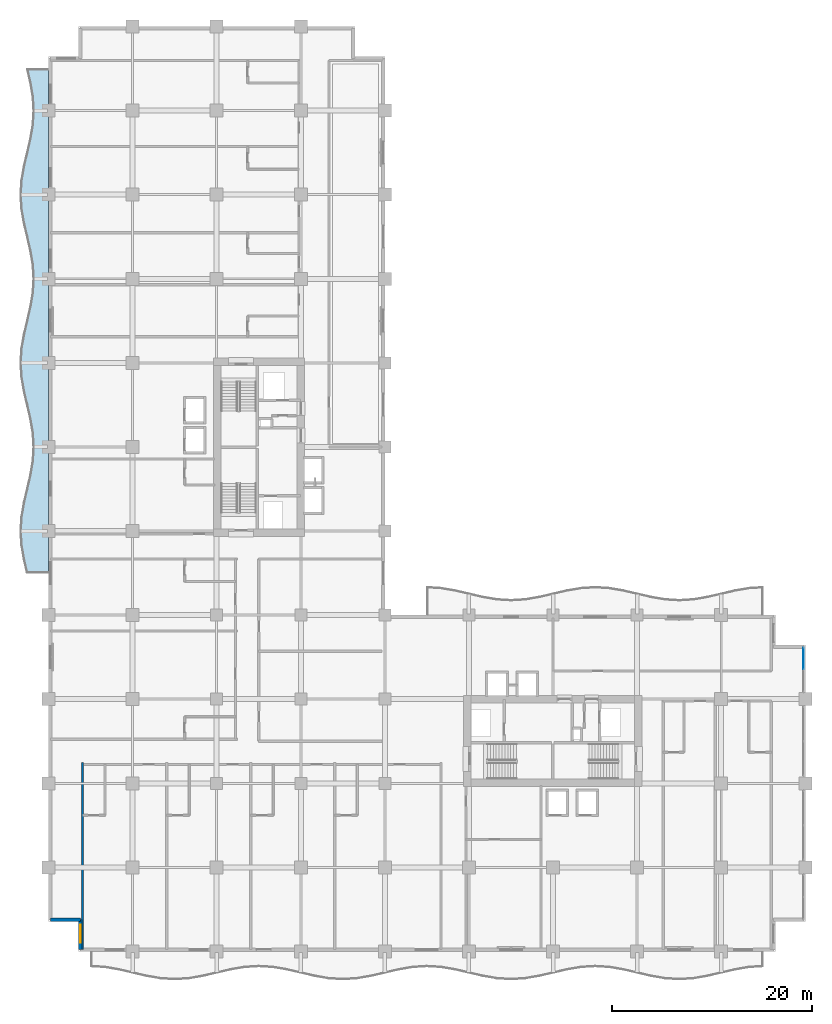
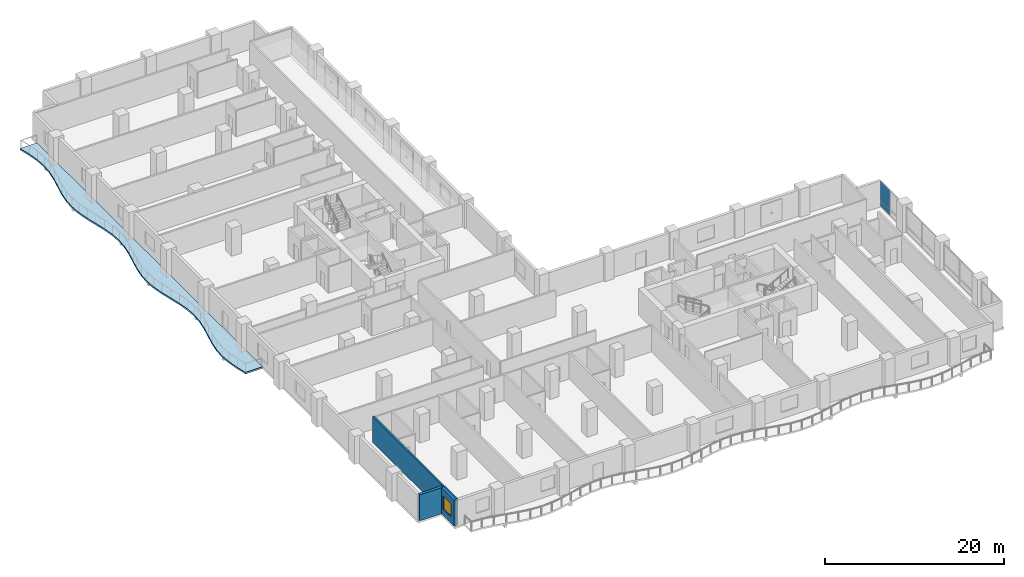
# One storey, part 8 of 24: 3 walls, 2 plates, 1 slab, 1 window, 1 opening, 1 element without a shape of its own.
"""IFC4 building model written with IfcOpenShell, lengths in metres."""

import ifcopenshell
import ifcopenshell.guid

model = None  # the IFC model being written
_history = None  # IfcOwnerHistory: only IFC2X3 demands one
_inside = {}  # id of a spatial element -> (the spatial element, [elements in it])
_under = {}  # id of a project, library or spatial element -> (it, [spatial elements below it])
_declared = {}  # id of a project -> (the project, [libraries it declares])
_typed = {}  # id of a type object -> (the type object, [elements of that type])
_made_of = {}  # id of a material, layer set ... -> (it, [elements and type objects made of it])


def new_model(schema):
    """Start an empty IFC model of exactly this schema.

    Asked for "IFC4X3", IfcOpenShell would pick the latest addendum, in which some entities
    have other attributes; the version numbers below select the first issue.
    IFC2X3 requires an IfcOwnerHistory on every rooted entity: one is made here for all.
    """
    global model, _history
    if schema == "IFC4X3":
        model = ifcopenshell.file(schema_version=(4, 3, 0, 0))
    else:
        model = ifcopenshell.file(schema=schema)
    _inside.clear()
    _under.clear()
    _declared.clear()
    _typed.clear()
    _made_of.clear()
    _history = None
    if model.schema == "IFC2X3":
        org = make("IfcOrganization", Name="unknown")
        user = make(
            "IfcPersonAndOrganization",
            ThePerson=make("IfcPerson", FamilyName="unknown"),
            TheOrganization=org,
        )
        app = make(
            "IfcApplication",
            ApplicationDeveloper=org,
            Version="unknown",
            ApplicationFullName="unknown",
            ApplicationIdentifier="unknown",
        )
        _history = make(
            "IfcOwnerHistory",
            OwningUser=user,
            OwningApplication=app,
            ChangeAction="ADDED",
            CreationDate=0,
        )
    return model


def make(cls, **values):
    """One entity of the class cls with the attributes given. An attribute that is None is left unset."""
    return model.create_entity(
        cls, **{name: value for name, value in values.items() if value is not None}
    )


def rooted(cls, **values):
    """An entity with a GlobalId (a new one), such as an element, a storey or a relation."""
    return make(cls, GlobalId=ifcopenshell.guid.new(), OwnerHistory=_history, **values)


def si_unit(unit_type, name, prefix=None):
    """IfcSIUnit, for example si_unit("LENGTHUNIT", "METRE", prefix="MILLI")."""
    return make("IfcSIUnit", UnitType=unit_type, Prefix=prefix, Name=name)


def assignment(units):
    """IfcUnitAssignment: the units of a project."""
    return None if units is None else make("IfcUnitAssignment", Units=units)


def point(xyz):
    """IfcCartesianPoint."""
    return None if xyz is None else make("IfcCartesianPoint", Coordinates=xyz)


def direction(xyz):
    """IfcDirection."""
    return None if xyz is None else make("IfcDirection", DirectionRatios=xyz)


def frame(location, z_axis=None, x_axis=None):
    """IfcAxis2Placement3D, a coordinate frame: its origin and axes. An axis left out is left unset."""
    return make(
        "IfcAxis2Placement3D",
        Location=point(location),
        Axis=direction(z_axis),
        RefDirection=direction(x_axis),
    )


def frame_2d(location, x_axis=None):
    """IfcAxis2Placement2D, a coordinate frame in the plane: its origin and x axis."""
    return make(
        "IfcAxis2Placement2D", Location=point(location), RefDirection=direction(x_axis)
    )


def origin():
    """The frame at (0, 0, 0) with its axes left unset."""
    return frame((0.0, 0.0, 0.0))


def origin_2d():
    """The frame at (0, 0) in the plane with its x axis left unset."""
    return frame_2d((0.0, 0.0))


def place(relative_to, where):
    """IfcLocalPlacement: puts the frame where relative to a parent placement (None: the world)."""
    return make(
        "IfcLocalPlacement", PlacementRelTo=relative_to, RelativePlacement=where
    )


def context(
    kind, dimensions, precision=None, world=None, true_north=None, identifier=None
):
    """IfcGeometricRepresentationContext, for example the 3D "Model" context."""
    return make(
        "IfcGeometricRepresentationContext",
        ContextIdentifier=identifier,
        ContextType=kind,
        CoordinateSpaceDimension=dimensions,
        Precision=precision,
        WorldCoordinateSystem=world,
        TrueNorth=true_north,
    )


def subcontext(parent, identifier, kind, view, scale=None):
    """IfcGeometricRepresentationSubContext, for example "Body" below "Model"."""
    return make(
        "IfcGeometricRepresentationSubContext",
        ContextIdentifier=identifier,
        ContextType=kind,
        ParentContext=parent,
        TargetScale=scale,
        TargetView=view,
    )


def project(units=None, contexts=None):
    """IfcProject with its units and contexts."""
    return rooted(
        "IfcProject",
        Name="project",
        RepresentationContexts=contexts,
        UnitsInContext=assignment(units),
    )


def spatial(cls, under=None, at=None, **own):
    """A site, building, storey or space (cls), placed at a placement, below another one or the project."""
    s = rooted(cls, ObjectPlacement=at, **own)
    if under is not None:
        _under.setdefault(under.id(), (under, []))[1].append(s)
    return s


def polyline(points):
    """IfcPolyline through the points."""
    return make("IfcPolyline", Points=[point(p) for p in points])


def profile(cls, at=None, kind="AREA", **sizes):
    """A parametric profile (cls). Its sizes go by their IFC names, for example OverallWidth=200.0."""
    return make(cls, ProfileType=kind, Position=at, **sizes)


def rectangle(**sizes):
    """IfcRectangleProfileDef."""
    return profile("IfcRectangleProfileDef", **sizes)


def outline(outer, holes=None, kind="AREA"):
    """IfcArbitraryClosedProfileDef: a profile drawn as a closed curve; with holes, ...WithVoids."""
    if holes is None:
        return make("IfcArbitraryClosedProfileDef", ProfileType=kind, OuterCurve=outer)
    return make(
        "IfcArbitraryProfileDefWithVoids",
        ProfileType=kind,
        OuterCurve=outer,
        InnerCurves=holes,
    )


def extrude(swept, where, along, depth):
    """IfcExtrudedAreaSolid: the profile swept, set in the frame where, extruded along a direction by depth."""
    return make(
        "IfcExtrudedAreaSolid",
        SweptArea=swept,
        Position=where,
        ExtrudedDirection=direction(along),
        Depth=depth,
    )


def shape(context_of_items, identifier, shape_type, items):
    """IfcShapeRepresentation: the items that make up one representation, for example the "Body"."""
    return make(
        "IfcShapeRepresentation",
        ContextOfItems=context_of_items,
        RepresentationIdentifier=identifier,
        RepresentationType=shape_type,
        Items=items,
    )


def material(Name=None, Category=None):
    """IfcMaterial."""
    return make("IfcMaterial", Name=Name, Category=Category)


def layer(
    of_material, thickness, ventilated=None, Name=None, Category=None, Priority=None
):
    """IfcMaterialLayer: one layer of a wall or slab, of a material (None: an air gap)."""
    return make(
        "IfcMaterialLayer",
        Material=of_material,
        LayerThickness=thickness,
        IsVentilated=ventilated,
        Name=Name,
        Category=Category,
        Priority=Priority,
    )


def layer_set(layers, Name=None):
    """IfcMaterialLayerSet."""
    return make("IfcMaterialLayerSet", MaterialLayers=layers, LayerSetName=Name)


def made_of(thing, what):
    """Note that an element or type object is made of a material, layer set ...; save() writes the relation."""
    if what is not None:
        _made_of.setdefault(what.id(), (what, []))[1].append(thing)
    return thing


def type_object(cls, material=None, **own):
    """A type object (cls), such as IfcWallType, which elements share."""
    return made_of(rooted(cls, **own), material)


def element(
    cls,
    number,
    at=None,
    inside=None,
    cuts=None,
    type_object=None,
    material=None,
    context=None,
    identifier="Body",
    shape_type=None,
    held_by="IfcProductDefinitionShape",
    body=None,
    shapes=None,
    **own,
):
    """One element of the class cls, such as IfcWall. Its Tag is "e" and its number.

    at: its placement. inside: the storey or other place that contains it. cuts: it is an
    opening in that element (IfcRelVoidsElement). A single representation is given by context,
    identifier, shape_type and body (its items); several are given by shapes. held_by: the class
    of the entity that holds the representations. save() writes the other relations.
    """
    e = rooted(cls, Tag="e%d" % number, ObjectPlacement=at, **own)
    if body is not None:
        shapes = [shape(context, identifier, shape_type, body)]
    if shapes is not None:
        e.Representation = make(held_by, Representations=shapes)
    if inside is not None:
        _inside.setdefault(inside.id(), (inside, []))[1].append(e)
    if cuts is not None:
        rooted(
            "IfcRelVoidsElement", RelatingBuildingElement=cuts, RelatedOpeningElement=e
        )
    if type_object is not None:
        _typed.setdefault(type_object.id(), (type_object, []))[1].append(e)
    return made_of(e, material)


def fill(opening, filler):
    """IfcRelFillsElement: the door or window that sits in an opening."""
    return rooted(
        "IfcRelFillsElement",
        RelatingOpeningElement=opening,
        RelatedBuildingElement=filler,
    )


def aggregate(whole, parts):
    """IfcRelAggregates: a whole, such as a stair, and the parts it consists of."""
    return rooted("IfcRelAggregates", RelatingObject=whole, RelatedObjects=parts)


def save(model, path):
    """Write the relations noted so far, then the file.

    IfcRelAggregates (storeys below a building ...), IfcRelContainedInSpatialStructure (elements
    in a storey), IfcRelDefinesByType, IfcRelAssociatesMaterial and IfcRelDeclares: one each for
    every whole, place, type object, material and project.
    """
    for whole, parts in _under.values():
        aggregate(whole, parts)
    for where, things in _inside.values():
        rooted(
            "IfcRelContainedInSpatialStructure",
            RelatedElements=things,
            RelatingStructure=where,
        )
    for kind, things in _typed.values():
        rooted("IfcRelDefinesByType", RelatedObjects=things, RelatingType=kind)
    for what, things in _made_of.values():
        rooted("IfcRelAssociatesMaterial", RelatedObjects=things, RelatingMaterial=what)
    for by, libraries in _declared.values():
        rooted("IfcRelDeclares", RelatingContext=by, RelatedDefinitions=libraries)
    model.write(path)


model = new_model("IFC4")

# Units and contexts
model_context = context("Model", 3, precision=1e-05, world=origin(), true_north=direction((0.0, 1.0)))
body_context = subcontext(model_context, "Body", "Model", "MODEL_VIEW")
ifc_project = project(units=[si_unit("LENGTHUNIT", "METRE"), si_unit("AREAUNIT", "SQUARE_METRE"), si_unit("VOLUMEUNIT", "CUBIC_METRE"), si_unit("PLANEANGLEUNIT", "RADIAN"), si_unit("MASSUNIT", "GRAM", prefix="KILO")], contexts=[model_context])

# Site, building, storey
site_placement = place(None, origin())
site = spatial("IfcSite", under=ifc_project, at=site_placement, CompositionType="ELEMENT")
building_placement = place(site_placement, origin())
building = spatial("IfcBuilding", under=site, at=building_placement, Name="Koriwani Terraces Tower", CompositionType="ELEMENT")
storey_placement = place(building_placement, frame((0.0, 0.0, 103.800048828125)))
storey = spatial("IfcBuildingStorey", under=building, at=storey_placement, Name="L24", CompositionType="ELEMENT", Elevation=103.800048828125)

# Curtain wall, plates
ifc_material_1 = material(Name="Anodised Bronze Aluminium", Category="aluminium")
ifc_layer_1 = layer(ifc_material_1, 0.179931640625, Name="Anodised Bronze Aluminium")
ifc_layer_set_1 = layer_set([ifc_layer_1], Name="Anodised Bronze Aluminium")
curtain_wall_type = type_object("IfcCurtainWallType", Name="CW_HOTEL_ZONE2", PredefinedType="NOTDEFINED", material=ifc_layer_set_1)
curtain_wall_placement = place(storey_placement, origin())
curtain_wall = element("IfcCurtainWall", 1, at=curtain_wall_placement, inside=storey, type_object=curtain_wall_type, Name="L24 Unitised Curtain Wall (E_TIP) Bay 1", PredefinedType="NOTDEFINED")
ifc_material_2 = material(Name="Tempered Laminated Low-E Glass", Category="glass")
ifc_layer_2 = layer(ifc_material_2, 0.028076171875, Name="Tempered Laminated Low-E Glass")
ifc_layer_set_2 = layer_set([ifc_layer_2], Name="Tempered Laminated Low-E Glass")
plate_type = type_object("IfcPlateType", Name="CW_PANEL_VISION_28", PredefinedType="CURTAIN_PANEL", material=ifc_layer_set_2)
plate_1_placement = place(storey_placement, frame((75.425048828125, 29.277587890625, 0.06494140625), z_axis=(0.0, 0.0, 1.0), x_axis=(0.0, -1.0, 0.0)))
plate_1 = element("IfcPlate", 2, at=plate_1_placement, type_object=plate_type, Name="CW-Z2 panel 1.1", PredefinedType="CURTAIN_PANEL", context=body_context, shape_type="SweptSolid", body=[
    extrude(rectangle(XDim=2.14501953125, YDim=0.028076171875, at=origin_2d()), origin(), (0.0, 0.0, 1.0), 0.802490234375),
])
plate_2_placement = place(storey_placement, frame((75.425048828125, 29.277587890625, 0.9326171875), z_axis=(0.0, 0.0, 1.0), x_axis=(0.0, -1.0, 0.0)))
plate_2 = element("IfcPlate", 3, at=plate_2_placement, type_object=plate_type, Name="CW-Z2 panel 1.2", PredefinedType="CURTAIN_PANEL", context=body_context, shape_type="SweptSolid", body=[
    extrude(rectangle(XDim=2.14501953125, YDim=0.028076171875, at=origin_2d()), origin(), (0.0, 0.0, 1.0), 2.552490234375),
])
aggregate(curtain_wall, [plate_1, plate_2])

# Slab
ifc_material_3 = material(Name="Concrete C40/50", Category="concrete")
ifc_layer_3 = layer(ifc_material_3, 0.219970703125, Name="Concrete C40/50")
ifc_layer_set_3 = layer_set([ifc_layer_3], Name="Concrete C40/50")
slab_type = type_object("IfcSlabType", Name="SLAB_BALCONY_220", PredefinedType="FLOOR", material=ifc_layer_set_3)
slab_placement = place(storey_placement, frame((0.0, 0.0, -0.219970703125)))
element("IfcSlab", 4, at=slab_placement, inside=storey, type_object=slab_type, Name="L24 Quilted Circular-Arc Balcony (W)", PredefinedType="FLOOR", context=body_context, shape_type="SweptSolid", body=[
    extrude(outline(polyline([(0.0, 37.800048828125), (0.0, 39.199951171875), (0.0, 40.60009765625), (0.0, 42.0), (0.0, 43.39990234375), (0.0, 44.800048828125), (0.0, 46.199951171875), (0.0, 47.60009765625), (0.0, 49.0), (0.0, 50.39990234375), (0.0, 51.800048828125), (0.0, 53.199951171875), (0.0, 54.60009765625), (0.0, 56.0), (0.0, 57.39990234375), (0.0, 58.800048828125), (0.0, 60.199951171875), (0.0, 61.60009765625), (0.0, 63.0), (0.0, 64.39990234375), (0.0, 65.800048828125), (0.0, 67.199951171875), (0.0, 68.60009765625), (0.0, 70.0), (0.0, 71.39990234375), (0.0, 72.800048828125), (0.0, 74.199951171875), (0.0, 75.60009765625), (0.0, 77.0), (0.0, 78.39990234375), (0.0, 79.800048828125), (0.0, 81.199951171875), (0.0, 82.60009765625), (0.0, 84.0), (0.0, 85.39990234375), (0.0, 86.800048828125), (0.0, 88.199951171875), (-2.199951171875, 88.199951171875), (-1.875, 86.800048828125), (-1.63720703125, 85.39990234375), (-1.550048828125, 84.0), (-1.63720703125, 82.60009765625), (-1.875, 81.199951171875), (-2.199951171875, 79.800048828125), (-2.52490234375, 78.39990234375), (-2.762939453125, 77.0), (-2.85009765625, 75.60009765625), (-2.762939453125, 74.199951171875), (-2.52490234375, 72.800048828125), (-2.199951171875, 71.39990234375), (-1.875, 70.0), (-1.63720703125, 68.60009765625), (-1.550048828125, 67.199951171875), (-1.63720703125, 65.800048828125), (-1.875, 64.39990234375), (-2.199951171875, 63.0), (-2.52490234375, 61.60009765625), (-2.762939453125, 60.199951171875), (-2.85009765625, 58.800048828125), (-2.762939453125, 57.39990234375), (-2.52490234375, 56.0), (-2.199951171875, 54.60009765625), (-1.875, 53.199951171875), (-1.63720703125, 51.800048828125), (-1.550048828125, 50.39990234375), (-1.63720703125, 49.0), (-1.875, 47.60009765625), (-2.199951171875, 46.199951171875), (-2.52490234375, 44.800048828125), (-2.762939453125, 43.39990234375), (-2.85009765625, 42.0), (-2.762939453125, 40.60009765625), (-2.52490234375, 39.199951171875), (-2.199951171875, 37.800048828125), (0.0, 37.800048828125)])), origin(), (0.0, 0.0, 1.0), 0.219970703125),
])

# Wall
ifc_material_4 = material(Name="Autoclaved Cellular Concrete Blockwork", Category="masonry")
ifc_layer_4 = layer(ifc_material_4, 0.219970703125, Name="Autoclaved Cellular Concrete Blockwork")
ifc_layer_set_4 = layer_set([ifc_layer_4], Name="Autoclaved Cellular Concrete Blockwork")
wall_type_1 = type_object("IfcWallType", Name="WALL_DEMISING_220", PredefinedType="PARTITIONING", material=ifc_layer_set_4)
wall_1_placement = place(storey_placement, frame((3.39990234375, 0.199951171875, 0.0), z_axis=(0.0, 0.0, 1.0), x_axis=(0.0, 1.0, 0.0)))
element("IfcWall", 5, at=wall_1_placement, inside=storey, type_object=wall_type_1, Name="L24 Interior Wall WDEM-L24-SW-0", PredefinedType="PARTITIONING", context=body_context, shape_type="SweptSolid", body=[
    extrude(rectangle(XDim=18.679931640625, YDim=0.219970703125, at=frame_2d((9.33984375, 0.0))), origin(), (0.0, 0.0, 1.0), 3.550048828125),
])

# Wall, opening, window
ifc_material_5 = material(Name="Concrete C50/60", Category="concrete")
ifc_layer_5 = layer(ifc_material_5, 0.35009765625, Name="Concrete C50/60")
ifc_layer_set_5 = layer_set([ifc_layer_5], Name="Concrete C50/60")
wall_type_2 = type_object("IfcWallType", Name="WALL_EXT_BRUTALIST_350", PredefinedType="STANDARD", material=ifc_layer_set_5)
wall_2_placement = place(storey_placement, frame((3.175048828125, 0.175048828125, 0.0), z_axis=(0.0, 0.0, 1.0), x_axis=(0.0, 1.0, 0.0)))
wall_2 = element("IfcWall", 6, at=wall_2_placement, inside=storey, type_object=wall_type_2, Name="L24 Fair-Faced Brutalist Exterior Wall (N0)", PredefinedType="STANDARD", context=body_context, shape_type="SweptSolid", body=[
    extrude(rectangle(XDim=3.0, YDim=0.35009765625, at=frame_2d((1.5, 0.0))), origin(), (0.0, 0.0, 1.0), 3.550048828125),
])
opening_placement = place(wall_2_placement, frame((0.677490234375, 0.0, 0.85009765625)))
opening = element("IfcOpeningElement", 7, at=opening_placement, cuts=wall_2, Name="Opening W-04", PredefinedType="OPENING", context=body_context, shape_type="SweptSolid", body=[
    extrude(rectangle(XDim=1.800048828125, YDim=1.800048828125, at=frame_2d((0.89990234375, 0.89990234375))), frame((0.0, 0.18505859375, 0.0), z_axis=(0.0, -1.0, 0.0), x_axis=(1.0, 0.0, 0.0)), (0.0, 0.0, 1.0), 0.3701171875),
])
window_type = type_object("IfcWindowType", Name="WIN_RES_BED_1800X1800", PartitioningType="DOUBLE_PANEL_VERTICAL", PredefinedType="WINDOW", material=ifc_material_2)
window_placement = place(opening_placement, origin())
window = element("IfcWindow", 8, at=window_placement, inside=storey, type_object=window_type, Name="L24 Exterior Window (N0-R31)", OverallHeight=1.800048828125, OverallWidth=1.800048828125, PartitioningType="SINGLE_PANEL", PredefinedType="WINDOW", context=body_context, shape_type="SweptSolid", body=[
    extrude(rectangle(XDim=1.800048828125, YDim=1.800048828125, at=frame_2d((0.89990234375, 0.89990234375))), frame((0.0, 0.030029296875, 0.0), z_axis=(0.0, -1.0, 0.0), x_axis=(1.0, 0.0, 0.0)), (0.0, 0.0, 1.0), 0.06005859375),
])
fill(opening, window)

# Wall
wall_3_placement = place(storey_placement, frame((3.175048828125, 3.175048828125, 0.0), z_axis=(0.0, 0.0, 1.0), x_axis=(-1.0, 0.0, 0.0)))
element("IfcWall", 9, at=wall_3_placement, inside=storey, type_object=wall_type_2, Name="L24 Fair-Faced Brutalist Exterior Wall (N1)", PredefinedType="STANDARD", context=body_context, shape_type="SweptSolid", body=[
    extrude(rectangle(XDim=3.0, YDim=0.35009765625, at=frame_2d((1.5, 0.0))), origin(), (0.0, 0.0, 1.0), 3.550048828125),
])

save(model, "model.ifc")
